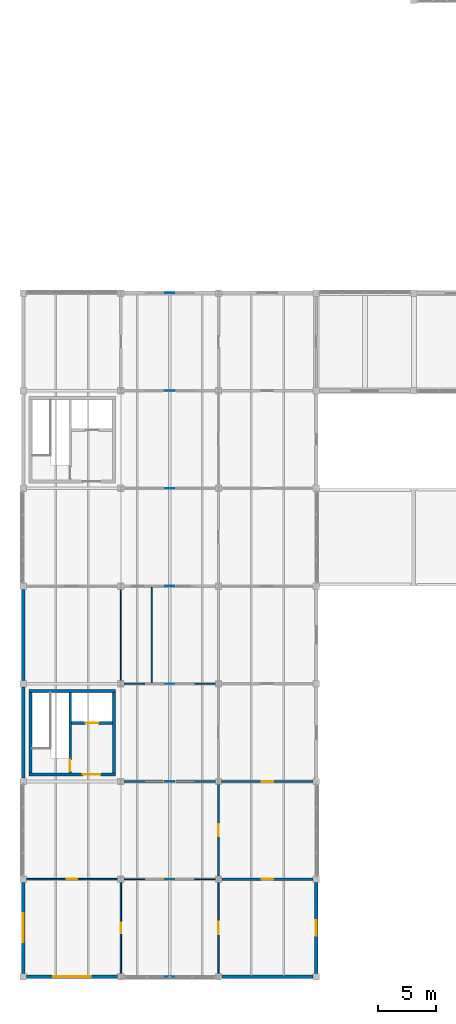
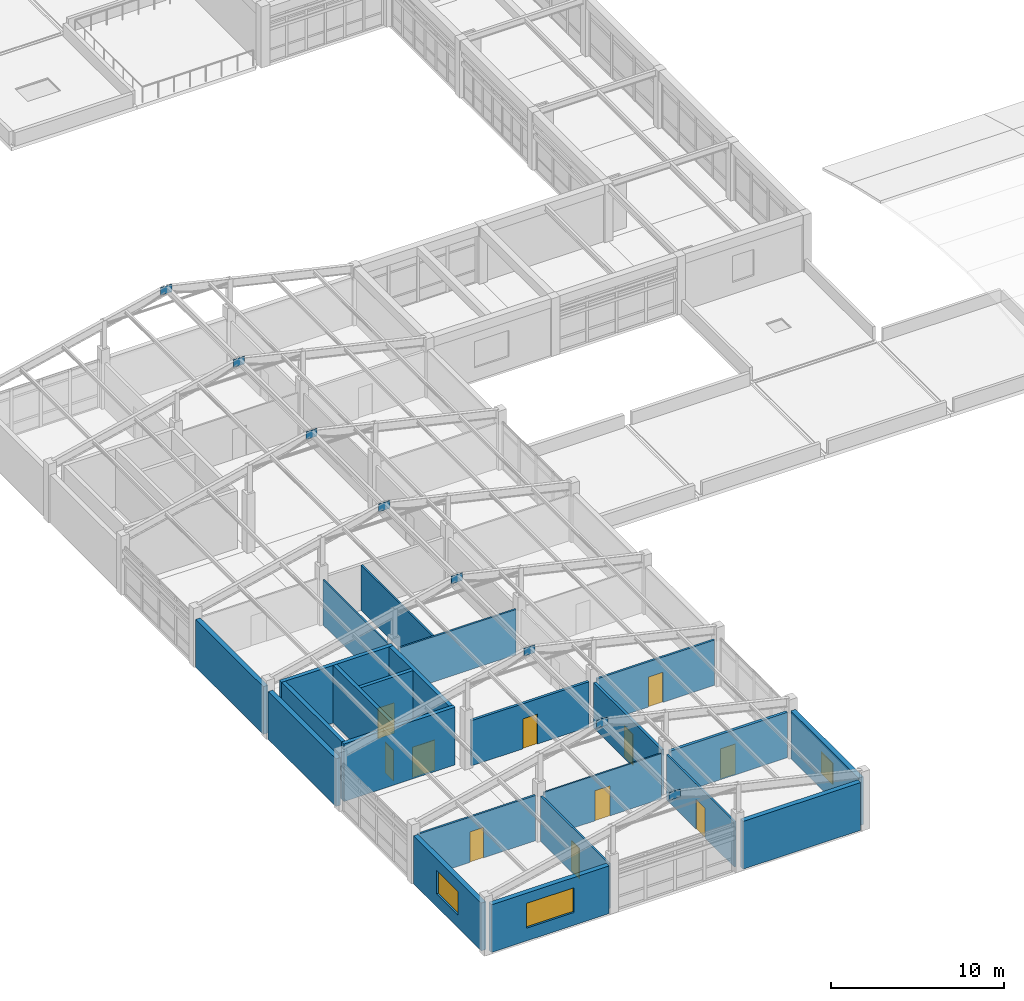
# One storey, part 30 of 40: 23 walls, 11 doors, 8 plates, 3 windows, 14 openings.
"""IFC4 building model written with IfcOpenShell, lengths in metres."""

from ifc_helpers import new_model, si_unit, direction, frame, frame_2d, origin, origin_2d, place, context, subcontext, project, spatial, rectangle, extrude, material, layer, layer_set, type_object, element, fill, save


model = new_model("IFC4")

# Units and contexts
model_context = context("Model", 3, precision=1e-05, world=origin(), true_north=direction((0.0, 1.0)))
body_context = subcontext(model_context, "Body", "Model", "MODEL_VIEW")
ifc_project = project(units=[si_unit("LENGTHUNIT", "METRE"), si_unit("AREAUNIT", "SQUARE_METRE"), si_unit("VOLUMEUNIT", "CUBIC_METRE"), si_unit("PLANEANGLEUNIT", "RADIAN"), si_unit("MASSUNIT", "GRAM", prefix="KILO")], contexts=[model_context])

# Site, building, storey
site_placement = place(None, origin())
site = spatial("IfcSite", under=ifc_project, at=site_placement, CompositionType="ELEMENT")
building_placement = place(site_placement, origin())
building = spatial("IfcBuilding", under=site, at=building_placement, Name="Porcellanite Civic Hall", CompositionType="ELEMENT")
storey_placement = place(building_placement, frame((0.0, 0.0, 19.080078125)))
storey = spatial("IfcBuildingStorey", under=building, at=storey_placement, Name="L04", CompositionType="ELEMENT", Elevation=19.080078125)

# Plates
ifc_material_1 = material(Name="Steel Grade 350", Category="steel")
ifc_layer_1 = layer(ifc_material_1, 0.02001953125)
ifc_layer_set_1 = layer_set([ifc_layer_1], Name="Steel Grade 350")
plate_type = type_object("IfcPlateType", Name="PL-GUS1", PredefinedType="SHEET", material=ifc_layer_set_1)
for number, where, z_axis, x_axis, name in (
    (1, (21.0, 16.800048828125, 6.4541015625), (0.0, 0.0, 1.0), (1.0, 0.0, 0.0), "Committee ridge splice plate 2"),
    (2, (21.0, 25.199951171875, 6.4541015625), (0.0, 0.0, 1.0), (1.0, 0.0, 0.0), "Committee ridge splice plate 3"),
    (3, (21.0, 33.60009765625, 6.4541015625), (0.0, 0.0, 1.0), (1.0, 0.0, 0.0), "Committee ridge splice plate 4"),
    (4, (21.0, 42.0, 6.4541015625), (0.0, 0.0, 1.0), (1.0, 0.0, 0.0), "Committee ridge splice plate 5"),
    (5, (21.0, 50.39990234375, 6.4541015625), (0.0, 0.0, 1.0), (1.0, 0.0, 0.0), "Committee ridge splice plate 6"),
    (6, (21.0, 58.800048828125, 6.4541015625), (0.0, 0.0, 1.0), (1.0, 0.0, 0.0), "Committee ridge splice plate 7"),
    (7, (21.0, 67.199951171875, 6.4541015625), (0.0, 0.0, 1.0), (1.0, 0.0, 0.0), "Committee ridge splice plate 8"),
    (8, (21.0, 75.60009765625, 6.4541015625), (0.0, 0.0, 1.0), (1.0, 0.0, 0.0), "Committee ridge splice plate 9"),
):
    element("IfcPlate", number, at=place(storey_placement, frame(where, z_axis=z_axis, x_axis=x_axis)), inside=storey, type_object=plate_type, Name=name, PredefinedType="SHEET", context=body_context, shape_type="SweptSolid", body=[
        extrude(rectangle(XDim=0.75, YDim=0.02001953125, at=origin_2d()), origin(), (0.0, 0.0, 1.0), 0.550048828125),
    ])

# Wall, opening, door
ifc_material_2 = material(Name="Concrete N40 (40 MPa)", Category="concrete")
ifc_layer_2 = layer(ifc_material_2, 0.239990234375)
ifc_layer_set_2 = layer_set([ifc_layer_2], Name="Concrete N40 (40 MPa)")
wall_type_1 = type_object("IfcWallType", Name="CW-SH240", PredefinedType="SHEAR", material=ifc_layer_set_2)
wall_1_placement = place(storey_placement, frame((12.43994140625, 34.340087890625, 0.0), z_axis=(0.0, 0.0, 1.0), x_axis=(0.0, 1.0, 0.0)))
wall_1 = element("IfcWall", 9, at=wall_1_placement, inside=storey, type_object=wall_type_1, Name="Core divider C1 L04", PredefinedType="SHEAR", context=body_context, shape_type="SweptSolid", body=[
    extrude(rectangle(XDim=6.919921875, YDim=0.239990234375, at=frame_2d((3.4599609375, 0.0))), origin(), (0.0, 0.0, 1.0), 4.06982421875),
])
opening_1_placement = place(wall_1_placement, frame((0.1201171875, 0.0, 0.0)))
opening_1 = element("IfcOpeningElement", 10, at=opening_1_placement, cuts=wall_1, Name="Opening FD-C1-L04-ST", PredefinedType="OPENING", context=body_context, shape_type="SweptSolid", body=[
    extrude(rectangle(XDim=1.0, YDim=2.14990234375, at=frame_2d((0.5, 1.074951171875))), frame((0.0, 0.1201171875, 0.0), z_axis=(0.0, -1.0, 0.0), x_axis=(1.0, 0.0, 0.0)), (0.0, 0.0, 1.0), 0.239990234375),
])
ifc_material_3 = material(Name="Fire-rated solid-core hardwood timber", Category="wood")
door_type_1 = type_object("IfcDoorType", Name="DR-FD100", OperationType="NOTDEFINED", PredefinedType="DOOR", material=ifc_material_3)
door_1_placement = place(opening_1_placement, origin())
door_1 = element("IfcDoor", 11, at=door_1_placement, inside=storey, type_object=door_type_1, Name="Fire stair door FD-C1-L04-ST", OperationType="SINGLE_SWING_RIGHT", OverallHeight=2.14990234375, OverallWidth=1.0, PredefinedType="DOOR", context=body_context, shape_type="SweptSolid", body=[
    extrude(rectangle(XDim=1.0, YDim=2.14990234375, at=frame_2d((0.5, 1.074951171875))), frame((0.0, 0.02490234375, 0.0), z_axis=(0.0, -1.0, 0.0), x_axis=(1.0, 0.0, 0.0)), (0.0, 0.0, 1.0), 0.050048828125),
])
fill(opening_1, door_1)

wall_2_placement = place(storey_placement, frame((12.56005859375, 38.6201171875, 0.0), z_axis=(0.0, 0.0, 1.0), x_axis=(1.0, 0.0, 0.0)))
wall_2 = element("IfcWall", 12, at=wall_2_placement, inside=storey, type_object=wall_type_1, Name="Lift shaft wall C1 L04", PredefinedType="SHEAR", context=body_context, shape_type="SweptSolid", body=[
    extrude(rectangle(XDim=3.5, YDim=0.239990234375, at=frame_2d((1.75, 0.0))), origin(), (0.0, 0.0, 1.0), 4.06982421875),
])
opening_2_placement = place(wall_2_placement, frame((1.199951171875, 0.0, 0.0)))
opening_2 = element("IfcOpeningElement", 13, at=opening_2_placement, cuts=wall_2, Name="Opening LD-03", PredefinedType="OPENING", context=body_context, shape_type="SweptSolid", body=[
    extrude(rectangle(XDim=1.10009765625, YDim=2.14990234375, at=frame_2d((0.550048828125, 1.074951171875))), frame((0.0, 0.1201171875, 0.0), z_axis=(0.0, -1.0, 0.0), x_axis=(1.0, 0.0, 0.0)), (0.0, 0.0, 1.0), 0.239990234375),
])
ifc_material_4 = material(Name="Brushed stainless steel 316", Category="steel")
door_type_2 = type_object("IfcDoorType", Name="DR-LD110", OperationType="DOUBLE_DOOR_SLIDING", PredefinedType="DOOR", material=ifc_material_4)
door_2_placement = place(opening_2_placement, origin())
door_2 = element("IfcDoor", 14, at=door_2_placement, inside=storey, type_object=door_type_2, Name="Lift landing sliding door LD-03 L04", OperationType="DOUBLE_DOOR_SLIDING", OverallHeight=2.14990234375, OverallWidth=1.10009765625, PredefinedType="DOOR", context=body_context, shape_type="SweptSolid", body=[
    extrude(rectangle(XDim=1.10009765625, YDim=2.14990234375, at=frame_2d((0.550048828125, 1.074951171875))), frame((0.0, 0.02490234375, 0.0), z_axis=(0.0, -1.0, 0.0), x_axis=(1.0, 0.0, 0.0)), (0.0, 0.0, 1.0), 0.050048828125),
])
fill(opening_2, door_2)

ifc_material_5 = material(Name="Concrete N40 (40 MPa)", Category="concrete")
ifc_layer_3 = layer(ifc_material_5, 0.260009765625)
ifc_layer_set_3 = layer_set([ifc_layer_3], Name="Concrete N40 (40 MPa)")
wall_type_2 = type_object("IfcWallType", Name="CW-SH260", PredefinedType="SHEAR", material=ifc_layer_set_3)
wall_3_placement = place(storey_placement, frame((16.320068359375, 34.2099609375, 0.0), z_axis=(0.0, 0.0, 1.0), x_axis=(-1.0, 0.0, 0.0)))
wall_3 = element("IfcWall", 15, at=wall_3_placement, inside=storey, type_object=wall_type_2, Name="Core wall C1 L04 S", PredefinedType="SHEAR", context=body_context, shape_type="SweptSolid", body=[
    extrude(rectangle(XDim=7.440185546875, YDim=0.260009765625, at=frame_2d((3.72021484375, 0.0))), origin(), (0.0, 0.0, 1.0), 4.06982421875),
])
opening_3_placement = place(wall_3_placement, frame((1.280029296875, 0.0, 0.0)))
opening_3 = element("IfcOpeningElement", 16, at=opening_3_placement, cuts=wall_3, Name="Opening FD-C1-L04-LB", PredefinedType="OPENING", context=body_context, shape_type="SweptSolid", body=[
    extrude(rectangle(XDim=1.5, YDim=2.14990234375, at=frame_2d((0.75, 1.074951171875))), frame((0.0, 0.1298828125, 0.0), z_axis=(0.0, -1.0, 0.0), x_axis=(1.0, 0.0, 0.0)), (0.0, 0.0, 1.0), 0.260009765625),
])
ifc_material_6 = material(Name="Fire-rated steel and Georgian wired glass", Category="steel")
door_type_3 = type_object("IfcDoorType", Name="DR-FD150", OperationType="DOUBLE_DOOR_SINGLE_SWING", PredefinedType="DOOR", material=ifc_material_6)
door_3_placement = place(opening_3_placement, origin())
door_3 = element("IfcDoor", 17, at=door_3_placement, inside=storey, type_object=door_type_3, Name="Fire lobby double door FD-C1-L04-LB", OperationType="DOUBLE_DOOR_SINGLE_SWING", OverallHeight=2.14990234375, OverallWidth=1.5, PredefinedType="DOOR", context=body_context, shape_type="SweptSolid", body=[
    extrude(rectangle(XDim=1.5, YDim=2.14990234375, at=frame_2d((0.75, 1.074951171875))), frame((0.0, 0.02490234375, 0.0), z_axis=(0.0, -1.0, 0.0), x_axis=(1.0, 0.0, 0.0)), (0.0, 0.0, 1.0), 0.050048828125),
])
fill(opening_3, door_3)

# Walls
wall_4_placement = place(storey_placement, frame((9.010009765625, 34.340087890625, 0.0), z_axis=(0.0, 0.0, 1.0), x_axis=(0.0, 1.0, 0.0)))
element("IfcWall", 18, at=wall_4_placement, inside=storey, type_object=wall_type_2, Name="Core wall C1 L04 W", PredefinedType="SHEAR", context=body_context, shape_type="SweptSolid", body=[
    extrude(rectangle(XDim=6.919921875, YDim=0.260009765625, at=frame_2d((3.4599609375, 0.0))), origin(), (0.0, 0.0, 1.0), 4.06982421875),
])
wall_5_placement = place(storey_placement, frame((8.8798828125, 41.389892578125, 0.0), z_axis=(0.0, 0.0, 1.0), x_axis=(1.0, 0.0, 0.0)))
element("IfcWall", 19, at=wall_5_placement, inside=storey, type_object=wall_type_2, Name="Core wall C1 L04 N", PredefinedType="SHEAR", context=body_context, shape_type="SweptSolid", body=[
    extrude(rectangle(XDim=7.440185546875, YDim=0.260009765625, at=frame_2d((3.72021484375, 0.0))), origin(), (0.0, 0.0, 1.0), 4.06982421875),
])
wall_6_placement = place(storey_placement, frame((16.18994140625, 41.260009765625, 0.0), z_axis=(0.0, 0.0, 1.0), x_axis=(0.0, -1.0, 0.0)))
element("IfcWall", 20, at=wall_6_placement, inside=storey, type_object=wall_type_2, Name="Core wall C1 L04 E", PredefinedType="SHEAR", context=body_context, shape_type="SweptSolid", body=[
    extrude(rectangle(XDim=6.919921875, YDim=0.260009765625, at=frame_2d((3.4599609375, 0.0))), origin(), (0.0, 0.0, 1.0), 4.06982421875),
])

# Wall, opening, window
ifc_material_7 = material(Name="Precast concrete N40 (40 MPa)", Category="concrete")
ifc_layer_4 = layer(ifc_material_7, 0.320068359375)
ifc_layer_set_4 = layer_set([ifc_layer_4], Name="Precast concrete N40 (40 MPa)")
wall_type_3 = type_object("IfcWallType", Name="EW-COM320", PredefinedType="SOLIDWALL", material=ifc_layer_set_4)
wall_7_placement = place(storey_placement, frame((16.52392578125, 16.800048828125, 0.0), z_axis=(0.0, 0.0, 1.0), x_axis=(-1.0, 0.0, 0.0)))
wall_7 = element("IfcWall", 21, at=wall_7_placement, inside=storey, type_object=wall_type_3, Name="Exterior wall L04 S 2-3", PredefinedType="SOLIDWALL", context=body_context, shape_type="SweptSolid", body=[
    extrude(rectangle(XDim=7.847900390625, YDim=0.320068359375, at=frame_2d((3.923828125, 0.0))), origin(), (0.0, 0.0, 1.0), 3.369873046875),
])
opening_4_placement = place(wall_7_placement, frame((2.323974609375, 0.0, 0.89990234375)))
opening_4 = element("IfcOpeningElement", 22, at=opening_4_placement, cuts=wall_7, Name="Opening W17", PredefinedType="OPENING", context=body_context, shape_type="SweptSolid", body=[
    extrude(rectangle(XDim=3.199951171875, YDim=1.75, at=frame_2d((1.60009765625, 0.875))), frame((0.0, 0.16015625, 0.0), z_axis=(0.0, -1.0, 0.0), x_axis=(1.0, 0.0, 0.0)), (0.0, 0.0, 1.0), 0.320068359375),
])
ifc_material_8 = material(Name="Cyclone laminated low-E glazing in anodised aluminium frame", Category="aluminium")
window_type_1 = type_object("IfcWindowType", Name="WN-17", PartitioningType="TRIPLE_PANEL_VERTICAL", PredefinedType="WINDOW", material=ifc_material_8)
window_1_placement = place(opening_4_placement, origin())
window_1 = element("IfcWindow", 23, at=window_1_placement, inside=storey, type_object=window_type_1, Name="Window W17 L04 S 2-3", OverallHeight=1.75, OverallWidth=3.199951171875, PartitioningType="SINGLE_PANEL", PredefinedType="WINDOW", context=body_context, shape_type="SweptSolid", body=[
    extrude(rectangle(XDim=3.199951171875, YDim=1.75, at=frame_2d((1.60009765625, 0.875))), frame((0.0, 0.030029296875, 0.0), z_axis=(0.0, -1.0, 0.0), x_axis=(1.0, 0.0, 0.0)), (0.0, 0.0, 1.0), 0.06005859375),
])
fill(opening_4, window_1)

wall_8_placement = place(storey_placement, frame((8.39990234375, 17.075927734375, 0.0), z_axis=(0.0, 0.0, 1.0), x_axis=(0.0, 1.0, 0.0)))
wall_8 = element("IfcWall", 24, at=wall_8_placement, inside=storey, type_object=wall_type_3, Name="Exterior wall L04 W 2-3", PredefinedType="SOLIDWALL", context=body_context, shape_type="SweptSolid", body=[
    extrude(rectangle(XDim=7.84814453125, YDim=0.320068359375, at=frame_2d((3.924072265625, 0.0))), origin(), (0.0, 0.0, 1.0), 3.369873046875),
])
opening_5_placement = place(wall_8_placement, frame((2.674072265625, 0.0, 0.89990234375)))
opening_5 = element("IfcOpeningElement", 25, at=opening_5_placement, cuts=wall_8, Name="Opening W18", PredefinedType="OPENING", context=body_context, shape_type="SweptSolid", body=[
    extrude(rectangle(XDim=2.5, YDim=1.64990234375, at=frame_2d((1.25, 0.824951171875))), frame((0.0, 0.16015625, 0.0), z_axis=(0.0, -1.0, 0.0), x_axis=(1.0, 0.0, 0.0)), (0.0, 0.0, 1.0), 0.320068359375),
])
ifc_material_9 = material(Name="Cyclone laminated low-E glazing in anodised aluminium frame", Category="aluminium")
window_type_2 = type_object("IfcWindowType", Name="WN-18", PartitioningType="DOUBLE_PANEL_VERTICAL", PredefinedType="WINDOW", material=ifc_material_9)
window_2_placement = place(opening_5_placement, origin())
window_2 = element("IfcWindow", 26, at=window_2_placement, inside=storey, type_object=window_type_2, Name="Window W18 L04 W 2-3", OverallHeight=1.64990234375, OverallWidth=2.5, PartitioningType="SINGLE_PANEL", PredefinedType="WINDOW", context=body_context, shape_type="SweptSolid", body=[
    extrude(rectangle(XDim=2.5, YDim=1.64990234375, at=frame_2d((1.25, 0.824951171875))), frame((0.0, 0.030029296875, 0.0), z_axis=(0.0, -1.0, 0.0), x_axis=(1.0, 0.0, 0.0)), (0.0, 0.0, 1.0), 0.06005859375),
])
fill(opening_5, window_2)

# Walls
for number, where, z_axis, x_axis, name in (
    (27, (8.39990234375, 33.8759765625, 0.0), (0.0, 0.0, 1.0), (0.0, 1.0, 0.0), "Exterior wall L04 W 2-5"),
    (28, (8.39990234375, 42.27587890625, 0.0), (0.0, 0.0, 1.0), (0.0, 1.0, 0.0), "Exterior wall L04 W 2-6"),
):
    element("IfcWall", number, at=place(storey_placement, frame(where, z_axis=z_axis, x_axis=x_axis)), inside=storey, type_object=wall_type_3, Name=name, PredefinedType="SOLIDWALL", context=body_context, shape_type="SweptSolid", body=[
        extrude(rectangle(XDim=7.84814453125, YDim=0.320068359375, at=frame_2d((3.924072265625, 0.0))), origin(), (0.0, 0.0, 1.0), 3.369873046875),
    ])
wall_9_placement = place(storey_placement, frame((33.323974609375, 16.800048828125, 0.0), z_axis=(0.0, 0.0, 1.0), x_axis=(-1.0, 0.0, 0.0)))
element("IfcWall", 29, at=wall_9_placement, inside=storey, type_object=wall_type_3, Name="Exterior wall L04 S 4-3", PredefinedType="SOLIDWALL", context=body_context, shape_type="SweptSolid", body=[
    extrude(rectangle(XDim=7.847900390625, YDim=0.320068359375, at=frame_2d((3.923828125, 0.0))), origin(), (0.0, 0.0, 1.0), 3.369873046875),
])

# Wall, opening, window
wall_10_placement = place(storey_placement, frame((33.60009765625, 24.924072265625, 0.0), z_axis=(0.0, 0.0, 1.0), x_axis=(0.0, -1.0, 0.0)))
wall_10 = element("IfcWall", 30, at=wall_10_placement, inside=storey, type_object=wall_type_3, Name="Exterior wall L04 E 4-3", PredefinedType="SOLIDWALL", context=body_context, shape_type="SweptSolid", body=[
    extrude(rectangle(XDim=7.84814453125, YDim=0.320068359375, at=frame_2d((3.924072265625, 0.0))), origin(), (0.0, 0.0, 1.0), 3.369873046875),
])
opening_6_placement = place(wall_10_placement, frame((3.2490234375, 0.0, 0.89990234375)))
opening_6 = element("IfcOpeningElement", 31, at=opening_6_placement, cuts=wall_10, Name="Opening W23", PredefinedType="OPENING", context=body_context, shape_type="SweptSolid", body=[
    extrude(rectangle(XDim=1.35009765625, YDim=1.5, at=frame_2d((0.675048828125, 0.75))), frame((0.0, 0.16015625, 0.0), z_axis=(0.0, -1.0, 0.0), x_axis=(1.0, 0.0, 0.0)), (0.0, 0.0, 1.0), 0.320068359375),
])
ifc_material_10 = material(Name="Cyclone laminated low-E glazing in anodised aluminium frame", Category="aluminium")
window_type_3 = type_object("IfcWindowType", Name="WN-23", PartitioningType="SINGLE_PANEL", PredefinedType="WINDOW", material=ifc_material_10)
window_3_placement = place(opening_6_placement, origin())
window_3 = element("IfcWindow", 32, at=window_3_placement, inside=storey, type_object=window_type_3, Name="Window W23 L04 E 4-3", OverallHeight=1.5, OverallWidth=1.35009765625, PartitioningType="SINGLE_PANEL", PredefinedType="WINDOW", context=body_context, shape_type="SweptSolid", body=[
    extrude(rectangle(XDim=1.35009765625, YDim=1.5, at=frame_2d((0.675048828125, 0.75))), frame((0.0, 0.030029296875, 0.0), z_axis=(0.0, -1.0, 0.0), x_axis=(1.0, 0.0, 0.0)), (0.0, 0.0, 1.0), 0.06005859375),
])
fill(opening_6, window_3)

# Wall, opening, door
ifc_material_11 = material(Name="Insulated acoustic plasterboard on light-gauge steel studs", Category="steel")
ifc_layer_5 = layer(ifc_material_11, 0.10498046875)
ifc_layer_set_5 = layer_set([ifc_layer_5], Name="Insulated acoustic plasterboard on light-gauge steel studs")
wall_type_4 = type_object("IfcWallType", Name="IW-PT105", PredefinedType="PARTITIONING", material=ifc_layer_set_5)
wall_11_placement = place(storey_placement, frame((17.076904296875, 25.199951171875, 0.0), z_axis=(0.0, 0.0, 1.0), x_axis=(1.0, 0.0, 0.0)))
wall_11 = element("IfcWall", 33, at=wall_11_placement, inside=storey, type_object=wall_type_4, Name="Partition L04 H 3-3", PredefinedType="PARTITIONING", context=body_context, shape_type="SweptSolid", body=[
    extrude(rectangle(XDim=7.84619140625, YDim=0.10498046875, at=frame_2d((3.923095703125, 0.0))), origin(), (0.0, 0.0, 1.0), 3.18994140625),
])
opening_7_placement = place(wall_11_placement, frame((3.41796875, 0.0, 0.0)))
opening_7 = element("IfcOpeningElement", 34, at=opening_7_placement, cuts=wall_11, Name="Opening D-L04-465", PredefinedType="OPENING", context=body_context, shape_type="SweptSolid", body=[
    extrude(rectangle(XDim=1.010009765625, YDim=2.1201171875, at=frame_2d((0.5048828125, 1.06005859375))), frame((0.0, 0.052490234375, 0.0), z_axis=(0.0, -1.0, 0.0), x_axis=(1.0, 0.0, 0.0)), (0.0, 0.0, 1.0), 0.10498046875),
])
ifc_material_12 = material(Name="Solid-core spotted-gum timber", Category="wood")
door_type_4 = type_object("IfcDoorType", Name="DR-RM101", OperationType="NOTDEFINED", PredefinedType="DOOR", material=ifc_material_12)
door_4_placement = place(opening_7_placement, origin())
door_4 = element("IfcDoor", 35, at=door_4_placement, inside=storey, type_object=door_type_4, Name="Interior door D-L04-465", OperationType="SINGLE_SWING_LEFT", OverallHeight=2.1201171875, OverallWidth=1.010009765625, PredefinedType="DOOR", context=body_context, shape_type="SweptSolid", body=[
    extrude(rectangle(XDim=1.010009765625, YDim=2.1201171875, at=frame_2d((0.5048828125, 1.06005859375))), frame((0.0, 0.02490234375, 0.0), z_axis=(0.0, -1.0, 0.0), x_axis=(1.0, 0.0, 0.0)), (0.0, 0.0, 1.0), 0.050048828125),
])
fill(opening_7, door_4)

# Walls
wall_12_placement = place(storey_placement, frame((16.800048828125, 42.277099609375, 0.0), z_axis=(0.0, 0.0, 1.0), x_axis=(0.0, 1.0, 0.0)))
element("IfcWall", 36, at=wall_12_placement, inside=storey, type_object=wall_type_4, Name="Partition L04 V 2-6", PredefinedType="PARTITIONING", context=body_context, shape_type="SweptSolid", body=[
    extrude(rectangle(XDim=7.845947265625, YDim=0.10498046875, at=frame_2d((3.9228515625, 0.0))), origin(), (0.0, 0.0, 1.0), 3.18994140625),
])
ifc_material_13 = material(Name="Insulated acoustic plasterboard on light-gauge steel studs", Category="steel")
ifc_layer_6 = layer(ifc_material_13, 0.114990234375)
ifc_layer_set_6 = layer_set([ifc_layer_6], Name="Insulated acoustic plasterboard on light-gauge steel studs")
wall_type_5 = type_object("IfcWallType", Name="IW-PT115", PredefinedType="PARTITIONING", material=ifc_layer_set_6)
wall_13_placement = place(storey_placement, frame((19.449951171875, 42.064453125, 0.0), z_axis=(0.0, 0.0, 1.0), x_axis=(0.0, 1.0, 0.0)))
element("IfcWall", 37, at=wall_13_placement, inside=storey, type_object=wall_type_5, Name="Partition L04 sub 3-6", PredefinedType="PARTITIONING", context=body_context, shape_type="SweptSolid", body=[
    extrude(rectangle(XDim=8.236083984375, YDim=0.114990234375, at=frame_2d((4.1181640625, 0.0))), origin(), (0.0, 0.0, 1.0), 3.18994140625),
])
ifc_material_14 = material(Name="Insulated acoustic plasterboard on light-gauge steel studs", Category="steel")
ifc_layer_7 = layer(ifc_material_14, 0.125)
ifc_layer_set_7 = layer_set([ifc_layer_7], Name="Insulated acoustic plasterboard on light-gauge steel studs")
wall_type_6 = type_object("IfcWallType", Name="IW-PT125", PredefinedType="PARTITIONING", material=ifc_layer_set_7)
wall_14_placement = place(storey_placement, frame((17.076904296875, 42.0, 0.0), z_axis=(0.0, 0.0, 1.0), x_axis=(1.0, 0.0, 0.0)))
element("IfcWall", 38, at=wall_14_placement, inside=storey, type_object=wall_type_6, Name="Partition L04 H 3-5", PredefinedType="PARTITIONING", context=body_context, shape_type="SweptSolid", body=[
    extrude(rectangle(XDim=7.84619140625, YDim=0.125, at=frame_2d((3.923095703125, 0.0))), origin(), (0.0, 0.0, 1.0), 3.18994140625),
])

# Wall, opening, door
ifc_material_15 = material(Name="Insulated acoustic plasterboard on light-gauge steel studs", Category="steel")
ifc_layer_8 = layer(ifc_material_15, 0.135009765625)
ifc_layer_set_8 = layer_set([ifc_layer_8], Name="Insulated acoustic plasterboard on light-gauge steel studs")
wall_type_7 = type_object("IfcWallType", Name="IW-PT135", PredefinedType="PARTITIONING", material=ifc_layer_set_8)
wall_15_placement = place(storey_placement, frame((8.677001953125, 25.199951171875, 0.0), z_axis=(0.0, 0.0, 1.0), x_axis=(1.0, 0.0, 0.0)))
wall_15 = element("IfcWall", 39, at=wall_15_placement, inside=storey, type_object=wall_type_7, Name="Partition L04 H 2-3", PredefinedType="PARTITIONING", context=body_context, shape_type="SweptSolid", body=[
    extrude(rectangle(XDim=7.845947265625, YDim=0.135009765625, at=frame_2d((3.9228515625, 0.0))), origin(), (0.0, 0.0, 1.0), 3.18994140625),
])
opening_8_placement = place(wall_15_placement, frame((3.462890625, 0.0, 0.0)))
opening_8 = element("IfcOpeningElement", 40, at=opening_8_placement, cuts=wall_15, Name="Opening D-L04-463", PredefinedType="OPENING", context=body_context, shape_type="SweptSolid", body=[
    extrude(rectangle(XDim=0.919921875, YDim=2.14990234375, at=frame_2d((0.4599609375, 1.074951171875))), frame((0.0, 0.0673828125, 0.0), z_axis=(0.0, -1.0, 0.0), x_axis=(1.0, 0.0, 0.0)), (0.0, 0.0, 1.0), 0.135009765625),
])
ifc_material_16 = material(Name="Solid-core spotted-gum timber", Category="wood")
door_type_5 = type_object("IfcDoorType", Name="DR-RM092", OperationType="NOTDEFINED", PredefinedType="DOOR", material=ifc_material_16)
door_5_placement = place(opening_8_placement, origin())
door_5 = element("IfcDoor", 41, at=door_5_placement, inside=storey, type_object=door_type_5, Name="Interior door D-L04-463", OperationType="SINGLE_SWING_LEFT", OverallHeight=2.14990234375, OverallWidth=0.919921875, PredefinedType="DOOR", context=body_context, shape_type="SweptSolid", body=[
    extrude(rectangle(XDim=0.919921875, YDim=2.14990234375, at=frame_2d((0.4599609375, 1.074951171875))), frame((0.0, 0.02490234375, 0.0), z_axis=(0.0, -1.0, 0.0), x_axis=(1.0, 0.0, 0.0)), (0.0, 0.0, 1.0), 0.050048828125),
])
fill(opening_8, door_5)

wall_16_placement = place(storey_placement, frame((16.800048828125, 17.076904296875, 0.0), z_axis=(0.0, 0.0, 1.0), x_axis=(0.0, 1.0, 0.0)))
wall_16 = element("IfcWall", 42, at=wall_16_placement, inside=storey, type_object=wall_type_7, Name="Partition L04 V 2-3", PredefinedType="PARTITIONING", context=body_context, shape_type="SweptSolid", body=[
    extrude(rectangle(XDim=7.84619140625, YDim=0.135009765625, at=frame_2d((3.923095703125, 0.0))), origin(), (0.0, 0.0, 1.0), 3.18994140625),
])
opening_9_placement = place(wall_16_placement, frame((3.462890625, 0.0, 0.0)))
opening_9 = element("IfcOpeningElement", 43, at=opening_9_placement, cuts=wall_16, Name="Opening D-L04-489", PredefinedType="OPENING", context=body_context, shape_type="SweptSolid", body=[
    extrude(rectangle(XDim=0.919921875, YDim=2.14990234375, at=frame_2d((0.4599609375, 1.074951171875))), frame((0.0, 0.0673828125, 0.0), z_axis=(0.0, -1.0, 0.0), x_axis=(1.0, 0.0, 0.0)), (0.0, 0.0, 1.0), 0.135009765625),
])
door_6_placement = place(opening_9_placement, origin())
door_6 = element("IfcDoor", 44, at=door_6_placement, inside=storey, type_object=door_type_5, Name="Interior door D-L04-489", OperationType="SINGLE_SWING_LEFT", OverallHeight=2.14990234375, OverallWidth=0.919921875, PredefinedType="DOOR", context=body_context, shape_type="SweptSolid", body=[
    extrude(rectangle(XDim=0.919921875, YDim=2.14990234375, at=frame_2d((0.4599609375, 1.074951171875))), frame((0.0, 0.02490234375, 0.0), z_axis=(0.0, -1.0, 0.0), x_axis=(1.0, 0.0, 0.0)), (0.0, 0.0, 1.0), 0.050048828125),
])
fill(opening_9, door_6)

ifc_material_17 = material(Name="Insulated acoustic plasterboard on light-gauge steel studs", Category="steel")
ifc_layer_9 = layer(ifc_material_17, 0.14501953125)
ifc_layer_set_9 = layer_set([ifc_layer_9], Name="Insulated acoustic plasterboard on light-gauge steel studs")
wall_type_8 = type_object("IfcWallType", Name="IW-PT145", PredefinedType="PARTITIONING", material=ifc_layer_set_9)
wall_17_placement = place(storey_placement, frame((25.47705078125, 33.60009765625, 0.0), z_axis=(0.0, 0.0, 1.0), x_axis=(1.0, 0.0, 0.0)))
wall_17 = element("IfcWall", 45, at=wall_17_placement, inside=storey, type_object=wall_type_8, Name="Partition L04 H 4-4", PredefinedType="PARTITIONING", context=body_context, shape_type="SweptSolid", body=[
    extrude(rectangle(XDim=7.845947265625, YDim=0.14501953125, at=frame_2d((3.9228515625, 0.0))), origin(), (0.0, 0.0, 1.0), 3.18994140625),
])
opening_10_placement = place(wall_17_placement, frame((3.43798828125, 0.0, 0.0)))
opening_10 = element("IfcOpeningElement", 46, at=opening_10_placement, cuts=wall_17, Name="Opening D-L04-479", PredefinedType="OPENING", context=body_context, shape_type="SweptSolid", body=[
    extrude(rectangle(XDim=0.969970703125, YDim=2.1201171875, at=frame_2d((0.48486328125, 1.06005859375))), frame((0.0, 0.072509765625, 0.0), z_axis=(0.0, -1.0, 0.0), x_axis=(1.0, 0.0, 0.0)), (0.0, 0.0, 1.0), 0.14501953125),
])
ifc_material_18 = material(Name="Solid-core spotted-gum timber", Category="wood")
door_type_6 = type_object("IfcDoorType", Name="DR-RM097", OperationType="NOTDEFINED", PredefinedType="DOOR", material=ifc_material_18)
door_7_placement = place(opening_10_placement, origin())
door_7 = element("IfcDoor", 47, at=door_7_placement, inside=storey, type_object=door_type_6, Name="Interior door D-L04-479", OperationType="SINGLE_SWING_LEFT", OverallHeight=2.1201171875, OverallWidth=0.969970703125, PredefinedType="DOOR", context=body_context, shape_type="SweptSolid", body=[
    extrude(rectangle(XDim=0.969970703125, YDim=2.1201171875, at=frame_2d((0.48486328125, 1.06005859375))), frame((0.0, 0.02490234375, 0.0), z_axis=(0.0, -1.0, 0.0), x_axis=(1.0, 0.0, 0.0)), (0.0, 0.0, 1.0), 0.050048828125),
])
fill(opening_10, door_7)

ifc_material_19 = material(Name="Insulated acoustic plasterboard on light-gauge steel studs", Category="steel")
ifc_layer_10 = layer(ifc_material_19, 0.175048828125)
ifc_layer_set_10 = layer_set([ifc_layer_10], Name="Insulated acoustic plasterboard on light-gauge steel studs")
wall_type_9 = type_object("IfcWallType", Name="IW-PT175", PredefinedType="PARTITIONING", material=ifc_layer_set_10)
wall_18_placement = place(storey_placement, frame((17.076904296875, 33.60009765625, 0.0), z_axis=(0.0, 0.0, 1.0), x_axis=(1.0, 0.0, 0.0)))
wall_18 = element("IfcWall", 48, at=wall_18_placement, inside=storey, type_object=wall_type_9, Name="Partition L04 H 3-4", PredefinedType="PARTITIONING", context=body_context, shape_type="SweptSolid", body=[
    extrude(rectangle(XDim=7.84619140625, YDim=0.175048828125, at=frame_2d((3.923095703125, 0.0))), origin(), (0.0, 0.0, 1.0), 3.18994140625),
])
opening_11_placement = place(wall_18_placement, frame((3.43798828125, 0.0, 0.0)))
opening_11 = element("IfcOpeningElement", 49, at=opening_11_placement, cuts=wall_18, Name="Opening D-L04-466", PredefinedType="OPENING", context=body_context, shape_type="SweptSolid", body=[
    extrude(rectangle(XDim=0.969970703125, YDim=2.1201171875, at=frame_2d((0.48486328125, 1.06005859375))), frame((0.0, 0.08740234375, 0.0), z_axis=(0.0, -1.0, 0.0), x_axis=(1.0, 0.0, 0.0)), (0.0, 0.0, 1.0), 0.175048828125),
])
door_8_placement = place(opening_11_placement, origin())
door_8 = element("IfcDoor", 50, at=door_8_placement, inside=storey, type_object=door_type_6, Name="Interior door D-L04-466", OperationType="SINGLE_SWING_RIGHT", OverallHeight=2.1201171875, OverallWidth=0.969970703125, PredefinedType="DOOR", context=body_context, shape_type="SweptSolid", body=[
    extrude(rectangle(XDim=0.969970703125, YDim=2.1201171875, at=frame_2d((0.48486328125, 1.06005859375))), frame((0.0, 0.02490234375, 0.0), z_axis=(0.0, -1.0, 0.0), x_axis=(1.0, 0.0, 0.0)), (0.0, 0.0, 1.0), 0.050048828125),
])
fill(opening_11, door_8)

wall_19_placement = place(storey_placement, frame((25.199951171875, 25.47705078125, 0.0), z_axis=(0.0, 0.0, 1.0), x_axis=(0.0, 1.0, 0.0)))
wall_19 = element("IfcWall", 51, at=wall_19_placement, inside=storey, type_object=wall_type_9, Name="Partition L04 V 3-4", PredefinedType="PARTITIONING", context=body_context, shape_type="SweptSolid", body=[
    extrude(rectangle(XDim=7.845947265625, YDim=0.175048828125, at=frame_2d((3.9228515625, 0.0))), origin(), (0.0, 0.0, 1.0), 3.18994140625),
])
opening_12_placement = place(wall_19_placement, frame((3.4130859375, 0.0, 0.0)))
opening_12 = element("IfcOpeningElement", 52, at=opening_12_placement, cuts=wall_19, Name="Opening D-L04-471", PredefinedType="OPENING", context=body_context, shape_type="SweptSolid", body=[
    extrude(rectangle(XDim=1.02001953125, YDim=2.199951171875, at=frame_2d((0.510009765625, 1.10009765625))), frame((0.0, 0.08740234375, 0.0), z_axis=(0.0, -1.0, 0.0), x_axis=(1.0, 0.0, 0.0)), (0.0, 0.0, 1.0), 0.175048828125),
])
ifc_material_20 = material(Name="Solid-core spotted-gum timber", Category="wood")
door_type_7 = type_object("IfcDoorType", Name="DR-RM102", OperationType="NOTDEFINED", PredefinedType="DOOR", material=ifc_material_20)
door_9_placement = place(opening_12_placement, origin())
door_9 = element("IfcDoor", 53, at=door_9_placement, inside=storey, type_object=door_type_7, Name="Interior door D-L04-471", OperationType="SINGLE_SWING_LEFT", OverallHeight=2.199951171875, OverallWidth=1.02001953125, PredefinedType="DOOR", context=body_context, shape_type="SweptSolid", body=[
    extrude(rectangle(XDim=1.02001953125, YDim=2.199951171875, at=frame_2d((0.510009765625, 1.10009765625))), frame((0.0, 0.02490234375, 0.0), z_axis=(0.0, -1.0, 0.0), x_axis=(1.0, 0.0, 0.0)), (0.0, 0.0, 1.0), 0.050048828125),
])
fill(opening_12, door_9)

ifc_material_21 = material(Name="Insulated acoustic plasterboard on light-gauge steel studs", Category="steel")
ifc_layer_11 = layer(ifc_material_21, 0.195068359375)
ifc_layer_set_11 = layer_set([ifc_layer_11], Name="Insulated acoustic plasterboard on light-gauge steel studs")
wall_type_10 = type_object("IfcWallType", Name="IW-PT195", PredefinedType="PARTITIONING", material=ifc_layer_set_11)
wall_20_placement = place(storey_placement, frame((25.47705078125, 25.199951171875, 0.0), z_axis=(0.0, 0.0, 1.0), x_axis=(1.0, 0.0, 0.0)))
wall_20 = element("IfcWall", 54, at=wall_20_placement, inside=storey, type_object=wall_type_10, Name="Partition L04 H 4-3", PredefinedType="PARTITIONING", context=body_context, shape_type="SweptSolid", body=[
    extrude(rectangle(XDim=7.845947265625, YDim=0.195068359375, at=frame_2d((3.9228515625, 0.0))), origin(), (0.0, 0.0, 1.0), 3.18994140625),
])
opening_13_placement = place(wall_20_placement, frame((3.41796875, 0.0, 0.0)))
opening_13 = element("IfcOpeningElement", 55, at=opening_13_placement, cuts=wall_20, Name="Opening D-L04-478", PredefinedType="OPENING", context=body_context, shape_type="SweptSolid", body=[
    extrude(rectangle(XDim=1.010009765625, YDim=2.1201171875, at=frame_2d((0.5048828125, 1.06005859375))), frame((0.0, 0.09765625, 0.0), z_axis=(0.0, -1.0, 0.0), x_axis=(1.0, 0.0, 0.0)), (0.0, 0.0, 1.0), 0.195068359375),
])
door_10_placement = place(opening_13_placement, origin())
door_10 = element("IfcDoor", 56, at=door_10_placement, inside=storey, type_object=door_type_4, Name="Interior door D-L04-478", OperationType="SINGLE_SWING_RIGHT", OverallHeight=2.1201171875, OverallWidth=1.010009765625, PredefinedType="DOOR", context=body_context, shape_type="SweptSolid", body=[
    extrude(rectangle(XDim=1.010009765625, YDim=2.1201171875, at=frame_2d((0.5048828125, 1.06005859375))), frame((0.0, 0.02490234375, 0.0), z_axis=(0.0, -1.0, 0.0), x_axis=(1.0, 0.0, 0.0)), (0.0, 0.0, 1.0), 0.050048828125),
])
fill(opening_13, door_10)

ifc_material_22 = material(Name="Acoustic timber-veneered operable panel system", Category="wood")
ifc_layer_12 = layer(ifc_material_22, 0.1298828125)
ifc_layer_set_12 = layer_set([ifc_layer_12], Name="Acoustic timber-veneered operable panel system")
wall_type_11 = type_object("IfcWallType", Name="MW-OP130", PredefinedType="MOVABLE", material=ifc_layer_set_12)
wall_21_placement = place(storey_placement, frame((25.199951171875, 17.076904296875, 0.0), z_axis=(0.0, 0.0, 1.0), x_axis=(0.0, 1.0, 0.0)))
wall_21 = element("IfcWall", 57, at=wall_21_placement, inside=storey, type_object=wall_type_11, Name="Partition L04 V 3-3", PredefinedType="MOVABLE", context=body_context, shape_type="SweptSolid", body=[
    extrude(rectangle(XDim=7.84619140625, YDim=0.1298828125, at=frame_2d((3.923095703125, 0.0))), origin(), (0.0, 0.0, 1.0), 3.18994140625),
])
opening_14_placement = place(wall_21_placement, frame((3.39794921875, 0.0, 0.0)))
opening_14 = element("IfcOpeningElement", 58, at=opening_14_placement, cuts=wall_21, Name="Opening D-L04-490", PredefinedType="OPENING", context=body_context, shape_type="SweptSolid", body=[
    extrude(rectangle(XDim=1.050048828125, YDim=2.1201171875, at=frame_2d((0.52490234375, 1.06005859375))), frame((0.0, 0.06494140625, 0.0), z_axis=(0.0, -1.0, 0.0), x_axis=(1.0, 0.0, 0.0)), (0.0, 0.0, 1.0), 0.1298828125),
])
ifc_material_23 = material(Name="Solid-core spotted-gum timber", Category="wood")
door_type_8 = type_object("IfcDoorType", Name="DR-RM105", OperationType="NOTDEFINED", PredefinedType="DOOR", material=ifc_material_23)
door_11_placement = place(opening_14_placement, origin())
door_11 = element("IfcDoor", 59, at=door_11_placement, inside=storey, type_object=door_type_8, Name="Interior door D-L04-490", OperationType="SINGLE_SWING_RIGHT", OverallHeight=2.1201171875, OverallWidth=1.050048828125, PredefinedType="DOOR", context=body_context, shape_type="SweptSolid", body=[
    extrude(rectangle(XDim=1.050048828125, YDim=2.1201171875, at=frame_2d((0.52490234375, 1.06005859375))), frame((0.0, 0.02490234375, 0.0), z_axis=(0.0, -1.0, 0.0), x_axis=(1.0, 0.0, 0.0)), (0.0, 0.0, 1.0), 0.050048828125),
])
fill(opening_14, door_11)

save(model, "model.ifc")
